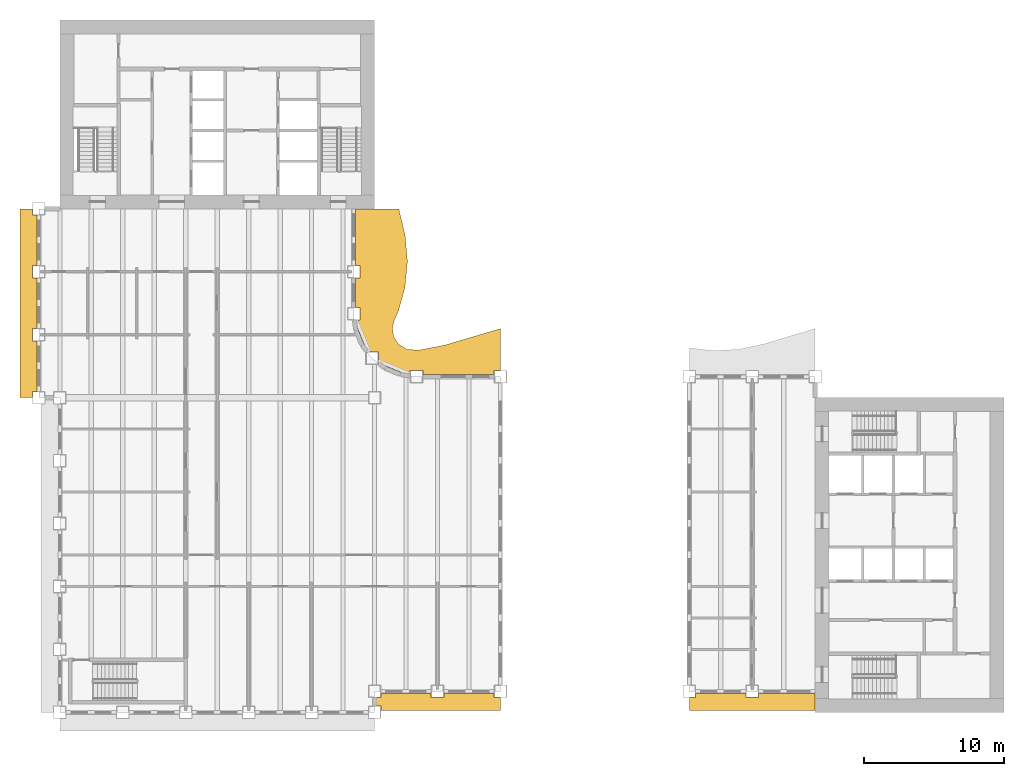
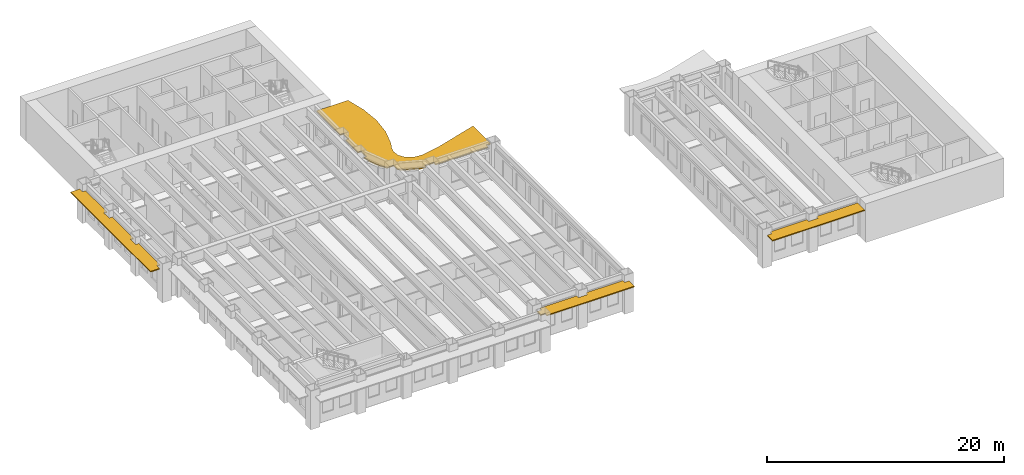
# One storey, part 11 of 13: 4 shading devices.
"""IFC4 building model written with IfcOpenShell, lengths in metres."""

from ifc_helpers import new_model, si_unit, direction, frame, origin, place, context, subcontext, project, spatial, polyline, outline, extrude, material, layer, layer_set, type_object, element, save


model = new_model("IFC4")

# Units and contexts
model_context = context("Model", 3, precision=1e-05, world=origin(), true_north=direction((0.0, 1.0)))
body_context = subcontext(model_context, "Body", "Model", "MODEL_VIEW")
ifc_project = project(units=[si_unit("LENGTHUNIT", "METRE"), si_unit("AREAUNIT", "SQUARE_METRE"), si_unit("VOLUMEUNIT", "CUBIC_METRE"), si_unit("PLANEANGLEUNIT", "RADIAN"), si_unit("MASSUNIT", "GRAM", prefix="KILO")], contexts=[model_context])

# Site, building, storey
site_placement = place(None, origin())
site = spatial("IfcSite", under=ifc_project, at=site_placement, CompositionType="ELEMENT")
building_placement = place(site_placement, origin())
building = spatial("IfcBuilding", under=site, at=building_placement, Name="Sennacour Bend Tower", CompositionType="ELEMENT")
storey_placement = place(building_placement, frame((0.0, 0.0, 143.0)))
storey = spatial("IfcBuildingStorey", under=building, at=storey_placement, Name="L32", CompositionType="ELEMENT", Elevation=143.0)

# Shading devices
ifc_material = material(Name="Bronze anodised aluminium", Category="aluminium")
ifc_layer_1 = layer(ifc_material, 0.10009765625, Name="Bronze anodised aluminium", Category="aluminium")
ifc_layer_set_1 = layer_set([ifc_layer_1], Name="Bronze anodised aluminium")
shading_device_type_1 = type_object("IfcShadingDeviceType", Name="SUNSHADE BAND STRAIGHT", PredefinedType="USERDEFINED", material=ifc_layer_set_1)
shading_device_1_placement = place(storey_placement, frame((0.0, 0.0, 3.049072265625)))
element("IfcShadingDevice", 1, at=shading_device_1_placement, inside=storey, type_object=shading_device_type_1, Name="Sunshade band L32 A outer face", ObjectType="SUNSHADE", PredefinedType="USERDEFINED", context=body_context, shape_type="SweptSolid", body=[
    extrude(outline(polyline([(49.050048828125, 1.35009765625), (49.050048828125, 1.050048828125), (49.949951171875, 1.050048828125), (49.949951171875, 1.35009765625), (54.0, 1.35009765625), (54.0, 0.14990234375), (45.0, 0.14990234375), (45.0, 1.050048828125), (45.449951171875, 1.050048828125), (45.449951171875, 1.35009765625), (49.050048828125, 1.35009765625)])), origin(), (0.0, 0.0, 1.0), 0.099853515625),
])
shading_device_2_placement = place(storey_placement, frame((0.0, 0.0, 3.049072265625)))
element("IfcShadingDevice", 2, at=shading_device_2_placement, inside=storey, type_object=shading_device_type_1, Name="Sunshade band L32 B outer face", ObjectType="SUNSHADE", PredefinedType="USERDEFINED", context=body_context, shape_type="SweptSolid", body=[
    extrude(outline(polyline([(-1.64990234375, 31.949951171875), (-1.949951171875, 31.949951171875), (-1.949951171875, 31.050048828125), (-1.64990234375, 31.050048828125), (-1.64990234375, 27.449951171875), (-1.949951171875, 27.449951171875), (-1.949951171875, 26.550048828125), (-1.64990234375, 26.550048828125), (-1.64990234375, 22.949951171875), (-1.949951171875, 22.949951171875), (-1.949951171875, 22.5), (-2.85009765625, 22.5), (-2.85009765625, 36.0), (-1.949951171875, 36.0), (-1.949951171875, 35.550048828125), (-1.64990234375, 35.550048828125), (-1.64990234375, 31.949951171875)])), origin(), (0.0, 0.0, 1.0), 0.099853515625),
])
shading_device_3_placement = place(storey_placement, frame((0.0, 0.0, 3.049072265625)))
element("IfcShadingDevice", 3, at=shading_device_3_placement, inside=storey, type_object=shading_device_type_1, Name="Sunshade band L32 A outer face", ObjectType="SUNSHADE", PredefinedType="USERDEFINED", context=body_context, shape_type="SweptSolid", body=[
    extrude(outline(polyline([(26.550048828125, 1.35009765625), (26.550048828125, 1.050048828125), (27.449951171875, 1.050048828125), (27.449951171875, 1.35009765625), (31.050048828125, 1.35009765625), (31.050048828125, 1.050048828125), (31.5, 1.050048828125), (31.5, 0.14990234375), (22.949951171875, 0.14990234375), (22.949951171875, 0.449951171875), (22.5, 0.449951171875), (22.5, 1.050048828125), (22.949951171875, 1.050048828125), (22.949951171875, 1.35009765625), (26.550048828125, 1.35009765625)])), origin(), (0.0, 0.0, 1.0), 0.099853515625),
])
ifc_layer_2 = layer(ifc_material, 0.1201171875, Name="Bronze anodised aluminium", Category="aluminium")
ifc_layer_set_2 = layer_set([ifc_layer_2], Name="Bronze anodised aluminium")
shading_device_type_2 = type_object("IfcShadingDeviceType", Name="SUNSHADE BAND WAVE", PredefinedType="USERDEFINED", material=ifc_layer_set_2)
shading_device_4_placement = place(storey_placement, frame((0.0, 0.0, 3.029052734375)))
element("IfcShadingDevice", 4, at=shading_device_4_placement, inside=storey, type_object=shading_device_type_2, Name="Sunshade band L32 concave faces", ObjectType="SUNSHADE", PredefinedType="USERDEFINED", context=body_context, shape_type="SweptSolid", body=[
    extrude(outline(polyline([(31.050048828125, 24.14990234375), (25.949951171875, 24.14990234375), (25.949951171875, 24.449951171875), (25.050048828125, 24.449951171875), (25.050048828125, 24.21044921875), (24.37451171875, 24.299560546875), (23.32568359375, 24.73388671875), (22.76806640625, 25.16162109375), (22.76806640625, 25.76806640625), (22.16162109375, 25.76806640625), (21.73388671875, 26.32568359375), (21.299560546875, 27.37451171875), (21.21044921875, 28.050048828125), (21.449951171875, 28.050048828125), (21.449951171875, 28.949951171875), (21.14990234375, 28.949951171875), (21.14990234375, 31.050048828125), (21.449951171875, 31.050048828125), (21.449951171875, 31.949951171875), (21.14990234375, 31.949951171875), (21.14990234375, 36.0), (24.23095703125, 36.0), (24.68359375, 34.125), (24.849853515625, 32.25), (24.672607421875, 30.375), (24.21240234375, 28.71044921875), (23.927978515625, 28.078857421875), (23.772705078125, 27.502685546875), (23.86572265625, 26.86572265625), (24.2333984375, 26.305908203125), (24.819091796875, 25.958740234375), (25.6240234375, 25.893310546875), (27.5, 26.251953125), (29.5, 26.84375), (31.5, 27.437744140625), (31.5, 24.449951171875), (31.050048828125, 24.449951171875), (31.050048828125, 24.14990234375)])), origin(), (0.0, 0.0, 1.0), 0.119873046875),
])

save(model, "model.ifc")
